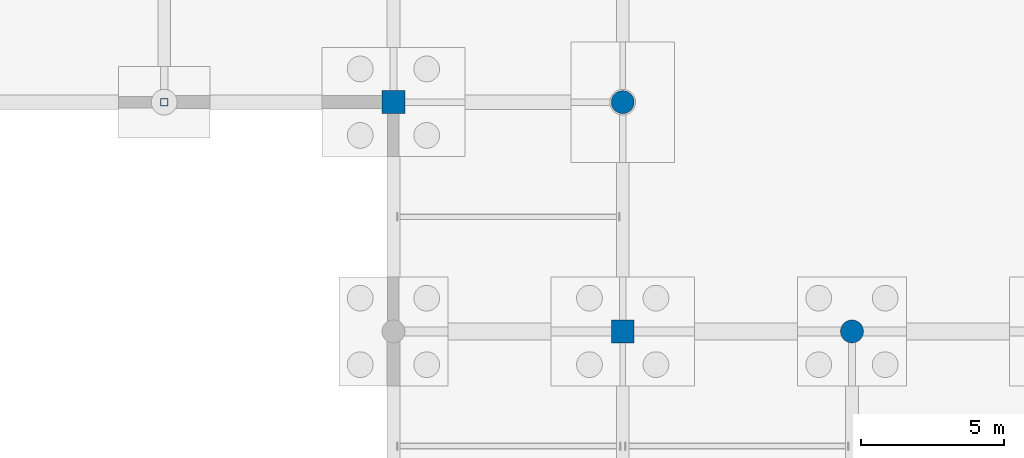
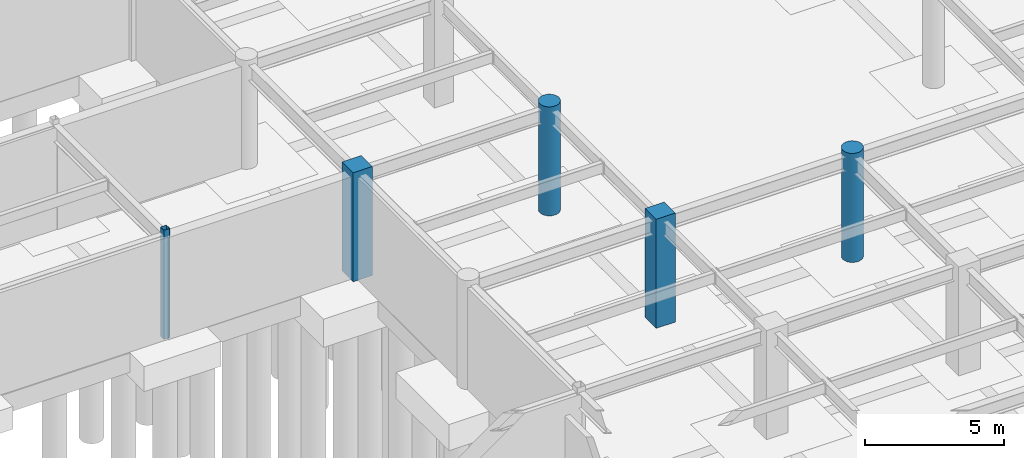
# One storey, part 22 of 105: 5 columns.
"""IFC4 building model written with IfcOpenShell, lengths in metres."""

from ifc_helpers import new_model, si_unit, direction, frame, origin, origin_2d, place, context, subcontext, project, spatial, rectangle, hollow_rectangle, circle, extrude, material, material_profile, profile_set, type_object, element, save


model = new_model("IFC4")

# Units and contexts
model_context = context("Model", 3, precision=1e-05, world=origin(), true_north=direction((0.0, 1.0)))
body_context = subcontext(model_context, "Body", "Model", "MODEL_VIEW")
ifc_project = project(units=[si_unit("LENGTHUNIT", "METRE"), si_unit("AREAUNIT", "SQUARE_METRE"), si_unit("VOLUMEUNIT", "CUBIC_METRE"), si_unit("PLANEANGLEUNIT", "RADIAN"), si_unit("MASSUNIT", "GRAM", prefix="KILO")], contexts=[model_context])

# Site, building, storey
site_placement = place(None, origin())
site = spatial("IfcSite", under=ifc_project, at=site_placement, CompositionType="ELEMENT")
building_placement = place(site_placement, origin())
building = spatial("IfcBuilding", under=site, at=building_placement, Name="Solmirada Galleria", CompositionType="ELEMENT")
storey_placement = place(building_placement, frame((0.0, 0.0, -4.800048828125)))
storey = spatial("IfcBuildingStorey", under=building, at=storey_placement, Name="B1", CompositionType="ELEMENT", Elevation=-4.800048828125)

# Columns
ifc_material_1 = material(Name="Concrete C40/50", Category="concrete")
ifc_material_profile_1 = material_profile(ifc_material_1, circle(Radius=0.39990234375, at=origin_2d()), Name="RCCOL800")
ifc_profile_set_1 = profile_set([ifc_material_profile_1], Name="Concrete C40/50")
column_type_1 = type_object("IfcColumnType", Name="COL-CIR800", PredefinedType="COLUMN", material=ifc_profile_set_1)
for number, where, z_axis, x_axis, name in (
    (1, (88.0, 56.0, 0.0), (0.0, 0.0, 1.0), (1.0, 0.0, 0.0), "Structural column B1-0519"),
    (2, (96.0, 48.0, 0.0), (0.0, 0.0, 1.0), (1.0, 0.0, 0.0), "Structural column B1-0632"),
):
    element("IfcColumn", number, at=place(storey_placement, frame(where, z_axis=z_axis, x_axis=x_axis)), inside=storey, type_object=column_type_1, Name=name, PredefinedType="COLUMN", context=body_context, shape_type="SweptSolid", body=[
        extrude(circle(Radius=0.39990234375, at=origin_2d()), origin(), (0.0, 0.0, 1.0), 4.800048828125),
    ])
ifc_material_2 = material(Name="Steel S355 / ASTM A500 Grade C", Category="steel")
ifc_material_profile_2 = material_profile(ifc_material_2, hollow_rectangle(XDim=0.25390625, YDim=0.25390625, WallThickness=0.0087890625, InnerFilletRadius=0.0087890625, OuterFilletRadius=0.017822265625, at=origin_2d()), Name="HSS10X10X3/8")
ifc_profile_set_2 = profile_set([ifc_material_profile_2], Name="Steel S355 / ASTM A500 Grade C")
column_type_2 = type_object("IfcColumnType", Name="COL-HSS10", PredefinedType="COLUMN", material=ifc_profile_set_2)
column_placement = place(storey_placement, frame((72.0, 56.0, 0.0), z_axis=(0.0, 0.0, 1.0), x_axis=(1.0, 0.0, 0.0)))
element("IfcColumn", 3, at=column_placement, inside=storey, type_object=column_type_2, Name="Structural column B1-0300", PredefinedType="COLUMN", context=body_context, shape_type="SweptSolid", body=[
    extrude(hollow_rectangle(XDim=0.25390625, YDim=0.25390625, WallThickness=0.0087890625, InnerFilletRadius=0.0087890625, OuterFilletRadius=0.017822265625, at=origin_2d()), origin(), (0.0, 0.0, 1.0), 4.800048828125),
])
ifc_material_profile_3 = material_profile(ifc_material_1, rectangle(XDim=0.800048828125, YDim=0.800048828125, at=origin_2d()), Name="RC800X800")
ifc_profile_set_3 = profile_set([ifc_material_profile_3], Name="Concrete C40/50")
column_type_3 = type_object("IfcColumnType", Name="COL-RC800", PredefinedType="COLUMN", material=ifc_profile_set_3)
for number, where, z_axis, x_axis, name in (
    (4, (80.0, 56.0, 0.0), (0.0, 0.0, 1.0), (1.0, 0.0, 0.0), "Structural column B1-0396"),
    (5, (88.0, 48.0, 0.0), (0.0, 0.0, 1.0), (1.0, 0.0, 0.0), "Structural column B1-0510"),
):
    element("IfcColumn", number, at=place(storey_placement, frame(where, z_axis=z_axis, x_axis=x_axis)), inside=storey, type_object=column_type_3, Name=name, PredefinedType="COLUMN", context=body_context, shape_type="SweptSolid", body=[
        extrude(rectangle(XDim=0.800048828125, YDim=0.800048828125, at=origin_2d()), origin(), (0.0, 0.0, 1.0), 4.800048828125),
    ])

save(model, "model.ifc")
